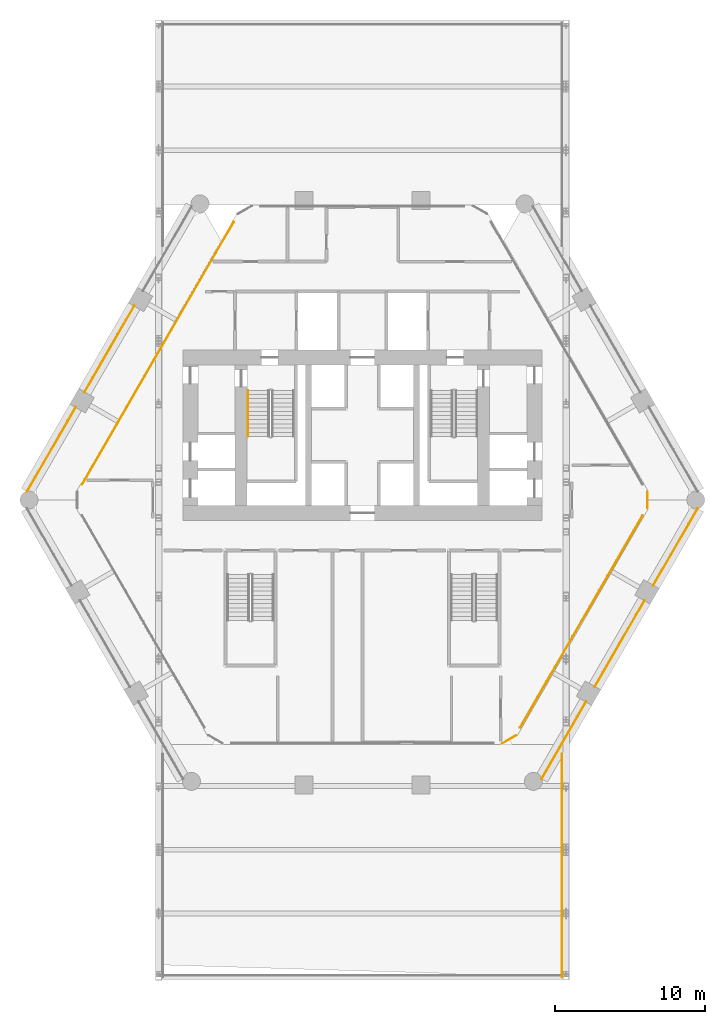
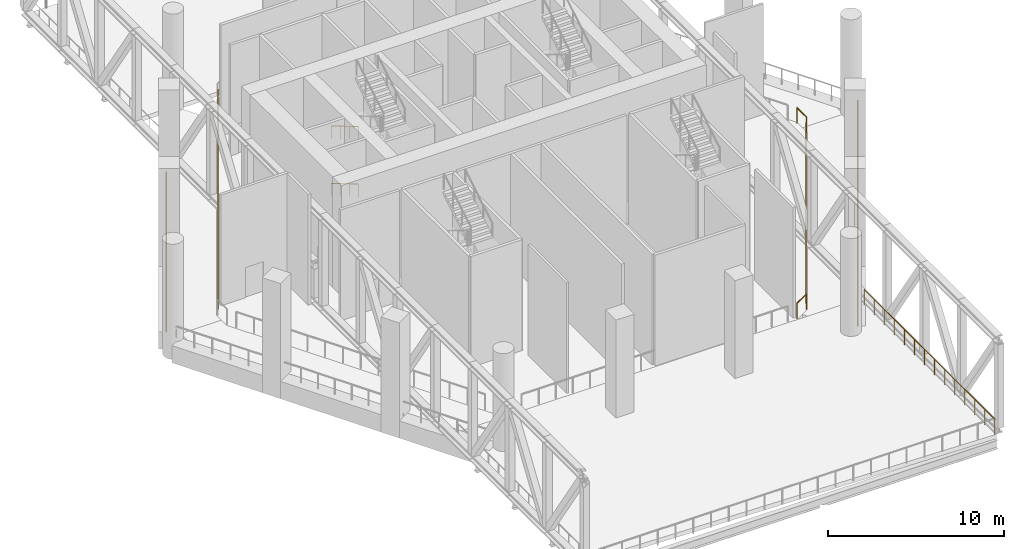
# One storey, part 14 of 16: 12 railings.
"""IFC4 building model written with IfcOpenShell, lengths in metres."""

from ifc_helpers import new_model, si_unit, direction, frame, origin, origin_2d, place, context, subcontext, project, spatial, circle, extrude, material, type_object, element, save


model = new_model("IFC4")

# Units and contexts
model_context = context("Model", 3, precision=1e-05, world=origin(), true_north=direction((0.0, 1.0)))
body_context = subcontext(model_context, "Body", "Model", "MODEL_VIEW")
ifc_project = project(units=[si_unit("LENGTHUNIT", "METRE"), si_unit("AREAUNIT", "SQUARE_METRE"), si_unit("VOLUMEUNIT", "CUBIC_METRE"), si_unit("PLANEANGLEUNIT", "RADIAN"), si_unit("MASSUNIT", "GRAM", prefix="KILO")], contexts=[model_context])

# Site, building, storey
site_placement = place(None, origin())
site = spatial("IfcSite", under=ifc_project, at=site_placement, CompositionType="ELEMENT")
building_placement = place(site_placement, origin())
building = spatial("IfcBuilding", under=site, at=building_placement, Name="Ostrander Bayou Hotel Tower", CompositionType="ELEMENT")
storey_placement = place(building_placement, frame((0.0, 0.0, 108.0)))
storey = spatial("IfcBuildingStorey", under=building, at=storey_placement, Name="L27", CompositionType="ELEMENT", Elevation=108.0)

# Railings
ifc_material_1 = material(Name="Stainless steel and clear glass", Category="steel")
railing_type_1 = type_object("IfcRailingType", Name="GR1 guard 1100 mm", PredefinedType="GUARDRAIL", material=ifc_material_1)
railing_1_placement = place(storey_placement, frame((-15.23876953125, 12.65087890625, 0.0)))
element("IfcRailing", 1, at=railing_1_placement, inside=storey, type_object=railing_type_1, Name="GR1 L27 NW-2 open band guard", PredefinedType="GUARDRAIL", context=body_context, shape_type="SweptSolid", body=[
    extrude(circle(Radius=0.02490234375, at=origin_2d()), frame((0.0, 0.0, 1.0751953125), z_axis=(-0.499999023957, -0.866025967302, 0.0), x_axis=(0.866025967302, -0.499999023957, 0.0)), (0.0, 0.0, 1.0), 6.67333984375),
    extrude(circle(Radius=0.02001953125, at=origin_2d()), origin(), (0.0, 0.0, 1.0), 1.050048828125),
    extrude(circle(Radius=0.02001953125, at=origin_2d()), frame((-0.55615234375, -0.963134765625, 0.0)), (0.0, 0.0, 1.0), 1.050048828125),
    extrude(circle(Radius=0.02001953125, at=origin_2d()), frame((-1.1123046875, -1.926513671875, 0.0)), (0.0, 0.0, 1.0), 1.050048828125),
    extrude(circle(Radius=0.02001953125, at=origin_2d()), frame((-1.66845703125, -2.8896484375, 0.0)), (0.0, 0.0, 1.0), 1.050048828125),
    extrude(circle(Radius=0.02001953125, at=origin_2d()), frame((-2.224365234375, -3.852783203125, 0.0)), (0.0, 0.0, 1.0), 1.050048828125),
    extrude(circle(Radius=0.02001953125, at=origin_2d()), frame((-2.780517578125, -4.816162109375, 0.0)), (0.0, 0.0, 1.0), 1.050048828125),
    extrude(circle(Radius=0.02001953125, at=origin_2d()), frame((-3.336669921875, -5.779296875, 0.0)), (0.0, 0.0, 1.0), 1.050048828125),
])
railing_2_placement = place(storey_placement, frame((-19.1455078125, 5.884521484375, 0.0)))
element("IfcRailing", 2, at=railing_2_placement, inside=storey, type_object=railing_type_1, Name="GR1 L27 NW-3 open band guard", PredefinedType="GUARDRAIL", context=body_context, shape_type="SweptSolid", body=[
    extrude(circle(Radius=0.02490234375, at=origin_2d()), frame((0.0, 0.0, 1.0751953125), z_axis=(-0.500000042739, -0.866025379109, 0.0), x_axis=(0.866025379109, -0.500000042739, 0.0)), (0.0, 0.0, 1.0), 6.52197265625),
    extrude(circle(Radius=0.02001953125, at=origin_2d()), origin(), (0.0, 0.0, 1.0), 1.050048828125),
    extrude(circle(Radius=0.02001953125, at=origin_2d()), frame((-0.54345703125, -0.94140625, 0.0)), (0.0, 0.0, 1.0), 1.050048828125),
    extrude(circle(Radius=0.02001953125, at=origin_2d()), frame((-1.0869140625, -1.8828125, 0.0)), (0.0, 0.0, 1.0), 1.050048828125),
    extrude(circle(Radius=0.02001953125, at=origin_2d()), frame((-1.63037109375, -2.82421875, 0.0)), (0.0, 0.0, 1.0), 1.050048828125),
    extrude(circle(Radius=0.02001953125, at=origin_2d()), frame((-2.174072265625, -3.765380859375, 0.0)), (0.0, 0.0, 1.0), 1.050048828125),
    extrude(circle(Radius=0.02001953125, at=origin_2d()), frame((-2.717529296875, -4.706787109375, 0.0)), (0.0, 0.0, 1.0), 1.050048828125),
    extrude(circle(Radius=0.02001953125, at=origin_2d()), frame((-3.260986328125, -5.648193359375, 0.0)), (0.0, 0.0, 1.0), 1.050048828125),
])
railing_3_placement = place(storey_placement, frame((11.974853515625, -18.958984375, 0.0)))
element("IfcRailing", 3, at=railing_3_placement, inside=storey, type_object=railing_type_1, Name="GR1 L27 SE-1 open band guard", PredefinedType="GUARDRAIL", context=body_context, shape_type="SweptSolid", body=[
    extrude(circle(Radius=0.02490234375, at=origin_2d()), frame((0.0, 0.0, 1.0751953125), z_axis=(0.499988630717, 0.866031967744, 0.0), x_axis=(-0.866031967744, 0.499988630717, 0.0)), (0.0, 0.0, 1.0), 5.954833984375),
    extrude(circle(Radius=0.02001953125, at=origin_2d()), origin(), (0.0, 0.0, 1.0), 1.050048828125),
    extrude(circle(Radius=0.02001953125, at=origin_2d()), frame((0.595458984375, 1.031494140625, 0.0)), (0.0, 0.0, 1.0), 1.050048828125),
    extrude(circle(Radius=0.02001953125, at=origin_2d()), frame((1.19091796875, 2.062744140625, 0.0)), (0.0, 0.0, 1.0), 1.050048828125),
    extrude(circle(Radius=0.02001953125, at=origin_2d()), frame((1.786376953125, 3.09423828125, 0.0)), (0.0, 0.0, 1.0), 1.050048828125),
    extrude(circle(Radius=0.02001953125, at=origin_2d()), frame((2.3818359375, 4.12548828125, 0.0)), (0.0, 0.0, 1.0), 1.050048828125),
    extrude(circle(Radius=0.02001953125, at=origin_2d()), frame((2.977294921875, 5.156982421875, 0.0)), (0.0, 0.0, 1.0), 1.050048828125),
])
railing_4_placement = place(storey_placement, frame((15.522216796875, -12.814697265625, 0.0)))
element("IfcRailing", 4, at=railing_4_placement, inside=storey, type_object=railing_type_1, Name="GR1 L27 SE-2 open band guard", PredefinedType="GUARDRAIL", context=body_context, shape_type="SweptSolid", body=[
    extrude(circle(Radius=0.02490234375, at=origin_2d()), frame((0.0, 0.0, 1.0751953125), z_axis=(0.499999023957, 0.866025967302, 0.0), x_axis=(-0.866025967302, 0.499999023957, 0.0)), (0.0, 0.0, 1.0), 6.67333984375),
    extrude(circle(Radius=0.02001953125, at=origin_2d()), origin(), (0.0, 0.0, 1.0), 1.050048828125),
    extrude(circle(Radius=0.02001953125, at=origin_2d()), frame((0.55615234375, 0.963134765625, 0.0)), (0.0, 0.0, 1.0), 1.050048828125),
    extrude(circle(Radius=0.02001953125, at=origin_2d()), frame((1.1123046875, 1.926513671875, 0.0)), (0.0, 0.0, 1.0), 1.050048828125),
    extrude(circle(Radius=0.02001953125, at=origin_2d()), frame((1.66845703125, 2.8896484375, 0.0)), (0.0, 0.0, 1.0), 1.050048828125),
    extrude(circle(Radius=0.02001953125, at=origin_2d()), frame((2.224365234375, 3.852783203125, 0.0)), (0.0, 0.0, 1.0), 1.050048828125),
    extrude(circle(Radius=0.02001953125, at=origin_2d()), frame((2.780517578125, 4.816162109375, 0.0)), (0.0, 0.0, 1.0), 1.050048828125),
    extrude(circle(Radius=0.02001953125, at=origin_2d()), frame((3.336669921875, 5.779296875, 0.0)), (0.0, 0.0, 1.0), 1.050048828125),
])
railing_5_placement = place(storey_placement, frame((19.428955078125, -6.048095703125, 0.0)))
element("IfcRailing", 5, at=railing_5_placement, inside=storey, type_object=railing_type_1, Name="GR1 L27 SE-3 open band guard", PredefinedType="GUARDRAIL", context=body_context, shape_type="SweptSolid", body=[
    extrude(circle(Radius=0.02490234375, at=origin_2d()), frame((0.0, 0.0, 1.0751953125), z_axis=(0.500001626982, 0.866024464444, 0.0), x_axis=(-0.866024464444, 0.500001626982, 0.0)), (0.0, 0.0, 1.0), 5.955078125),
    extrude(circle(Radius=0.02001953125, at=origin_2d()), origin(), (0.0, 0.0, 1.0), 1.050048828125),
    extrude(circle(Radius=0.02001953125, at=origin_2d()), frame((0.595458984375, 1.031494140625, 0.0)), (0.0, 0.0, 1.0), 1.050048828125),
    extrude(circle(Radius=0.02001953125, at=origin_2d()), frame((1.19091796875, 2.06298828125, 0.0)), (0.0, 0.0, 1.0), 1.050048828125),
    extrude(circle(Radius=0.02001953125, at=origin_2d()), frame((1.78662109375, 3.09423828125, 0.0)), (0.0, 0.0, 1.0), 1.050048828125),
    extrude(circle(Radius=0.02001953125, at=origin_2d()), frame((2.382080078125, 4.125732421875, 0.0)), (0.0, 0.0, 1.0), 1.050048828125),
    extrude(circle(Radius=0.02001953125, at=origin_2d()), frame((2.9775390625, 5.1572265625, 0.0)), (0.0, 0.0, 1.0), 1.050048828125),
])
railing_6_placement = place(storey_placement, frame((9.345703125, -16.59765625, 0.0)))
element("IfcRailing", 6, at=railing_6_placement, inside=storey, type_object=railing_type_1, Name="GR1 L27 corner guard 4", PredefinedType="GUARDRAIL", context=body_context, shape_type="SweptSolid", body=[
    extrude(circle(Radius=0.02490234375, at=origin_2d()), frame((0.0, 0.0, 1.0751953125), z_axis=(0.866048165231, 0.499960573946, 0.0), x_axis=(-0.499960573946, 0.866048165231, 0.0)), (0.0, 0.0, 1.0), 1.06494140625),
    extrude(circle(Radius=0.02001953125, at=origin_2d()), origin(), (0.0, 0.0, 1.0), 1.050048828125),
    extrude(circle(Radius=0.02001953125, at=origin_2d()), frame((0.92236328125, 0.532470703125, 0.0)), (0.0, 0.0, 1.0), 1.050048828125),
])
railing_7_placement = place(storey_placement, frame((19.046875, -0.85986328125, 0.0)))
element("IfcRailing", 7, at=railing_7_placement, inside=storey, type_object=railing_type_1, Name="GR1 L27 corner guard 5", PredefinedType="GUARDRAIL", context=body_context, shape_type="SweptSolid", body=[
    extrude(circle(Radius=0.02490234375, at=origin_2d()), frame((0.0, 0.0, 1.0751953125), z_axis=(0.0, 1.0, 0.0), x_axis=(-1.0, 0.0, 0.0)), (0.0, 0.0, 1.0), 1.06494140625),
    extrude(circle(Radius=0.02001953125, at=origin_2d()), origin(), (0.0, 0.0, 1.0), 1.050048828125),
    extrude(circle(Radius=0.02001953125, at=origin_2d()), frame((0.0, 1.06494140625, 0.0)), (0.0, 0.0, 1.0), 1.050048828125),
])
railing_8_placement = place(storey_placement, frame((18.725830078125, -1.365966796875, 0.0)))
element("IfcRailing", 8, at=railing_8_placement, inside=storey, type_object=railing_type_1, Name="GR1 L27 edge guard 3", PredefinedType="GUARDRAIL", context=body_context, shape_type="SweptSolid", body=[
    extrude(circle(Radius=0.02490234375, at=origin_2d()), frame((0.0, 0.0, 1.0751953125), z_axis=(-0.500002341209, -0.866024052083, 0.0), x_axis=(0.866024052083, -0.500002341209, 0.0)), (0.0, 0.0, 1.0), 16.35986328125),
    extrude(circle(Radius=0.02001953125, at=origin_2d()), origin(), (0.0, 0.0, 1.0), 1.050048828125),
    extrude(circle(Radius=0.02001953125, at=origin_2d()), frame((-0.584228515625, -1.011962890625, 0.0)), (0.0, 0.0, 1.0), 1.050048828125),
    extrude(circle(Radius=0.02001953125, at=origin_2d()), frame((-1.16845703125, -2.02392578125, 0.0)), (0.0, 0.0, 1.0), 1.050048828125),
    extrude(circle(Radius=0.02001953125, at=origin_2d()), frame((-1.7529296875, -3.035888671875, 0.0)), (0.0, 0.0, 1.0), 1.050048828125),
    extrude(circle(Radius=0.02001953125, at=origin_2d()), frame((-2.337158203125, -4.048095703125, 0.0)), (0.0, 0.0, 1.0), 1.050048828125),
    extrude(circle(Radius=0.02001953125, at=origin_2d()), frame((-2.92138671875, -5.06005859375, 0.0)), (0.0, 0.0, 1.0), 1.050048828125),
    extrude(circle(Radius=0.02001953125, at=origin_2d()), frame((-3.505615234375, -6.072021484375, 0.0)), (0.0, 0.0, 1.0), 1.050048828125),
    extrude(circle(Radius=0.02001953125, at=origin_2d()), frame((-4.08984375, -7.083984375, 0.0)), (0.0, 0.0, 1.0), 1.050048828125),
    extrude(circle(Radius=0.02001953125, at=origin_2d()), frame((-4.67431640625, -8.095947265625, 0.0)), (0.0, 0.0, 1.0), 1.050048828125),
    extrude(circle(Radius=0.02001953125, at=origin_2d()), frame((-5.258544921875, -9.10791015625, 0.0)), (0.0, 0.0, 1.0), 1.050048828125),
    extrude(circle(Radius=0.02001953125, at=origin_2d()), frame((-5.8427734375, -10.119873046875, 0.0)), (0.0, 0.0, 1.0), 1.050048828125),
    extrude(circle(Radius=0.02001953125, at=origin_2d()), frame((-6.427001953125, -11.132080078125, 0.0)), (0.0, 0.0, 1.0), 1.050048828125),
    extrude(circle(Radius=0.02001953125, at=origin_2d()), frame((-7.011474609375, -12.14404296875, 0.0)), (0.0, 0.0, 1.0), 1.050048828125),
    extrude(circle(Radius=0.02001953125, at=origin_2d()), frame((-7.595703125, -13.156005859375, 0.0)), (0.0, 0.0, 1.0), 1.050048828125),
    extrude(circle(Radius=0.02001953125, at=origin_2d()), frame((-8.179931640625, -14.16796875, 0.0)), (0.0, 0.0, 1.0), 1.050048828125),
])
railing_9_placement = place(storey_placement, frame((-18.725830078125, 0.71142578125, 0.0)))
element("IfcRailing", 9, at=railing_9_placement, inside=storey, type_object=railing_type_1, Name="GR1 L27 edge guard 6", PredefinedType="GUARDRAIL", context=body_context, shape_type="SweptSolid", body=[
    extrude(circle(Radius=0.02490234375, at=origin_2d()), frame((0.0, 0.0, 1.0751953125), z_axis=(0.500006806057, 0.86602147427, 0.0), x_axis=(-0.86602147427, 0.500006806057, 0.0)), (0.0, 0.0, 1.0), 20.264892578125),
    extrude(circle(Radius=0.02001953125, at=origin_2d()), origin(), (0.0, 0.0, 1.0), 1.050048828125),
    extrude(circle(Radius=0.02001953125, at=origin_2d()), frame((0.595947265625, 1.0322265625, 0.0)), (0.0, 0.0, 1.0), 1.050048828125),
    extrude(circle(Radius=0.02001953125, at=origin_2d()), frame((1.192138671875, 2.064697265625, 0.0)), (0.0, 0.0, 1.0), 1.050048828125),
    extrude(circle(Radius=0.02001953125, at=origin_2d()), frame((1.7880859375, 3.096923828125, 0.0)), (0.0, 0.0, 1.0), 1.050048828125),
    extrude(circle(Radius=0.02001953125, at=origin_2d()), frame((2.384033203125, 4.12939453125, 0.0)), (0.0, 0.0, 1.0), 1.050048828125),
    extrude(circle(Radius=0.02001953125, at=origin_2d()), frame((2.980224609375, 5.16162109375, 0.0)), (0.0, 0.0, 1.0), 1.050048828125),
    extrude(circle(Radius=0.02001953125, at=origin_2d()), frame((3.576171875, 6.194091796875, 0.0)), (0.0, 0.0, 1.0), 1.050048828125),
    extrude(circle(Radius=0.02001953125, at=origin_2d()), frame((4.172119140625, 7.226318359375, 0.0)), (0.0, 0.0, 1.0), 1.050048828125),
    extrude(circle(Radius=0.02001953125, at=origin_2d()), frame((4.768310546875, 8.2587890625, 0.0)), (0.0, 0.0, 1.0), 1.050048828125),
    extrude(circle(Radius=0.02001953125, at=origin_2d()), frame((5.3642578125, 9.291015625, 0.0)), (0.0, 0.0, 1.0), 1.050048828125),
    extrude(circle(Radius=0.02001953125, at=origin_2d()), frame((5.96044921875, 10.323486328125, 0.0)), (0.0, 0.0, 1.0), 1.050048828125),
    extrude(circle(Radius=0.02001953125, at=origin_2d()), frame((6.556396484375, 11.355712890625, 0.0)), (0.0, 0.0, 1.0), 1.050048828125),
    extrude(circle(Radius=0.02001953125, at=origin_2d()), frame((7.15234375, 12.38818359375, 0.0)), (0.0, 0.0, 1.0), 1.050048828125),
    extrude(circle(Radius=0.02001953125, at=origin_2d()), frame((7.74853515625, 13.42041015625, 0.0)), (0.0, 0.0, 1.0), 1.050048828125),
    extrude(circle(Radius=0.02001953125, at=origin_2d()), frame((8.344482421875, 14.452880859375, 0.0)), (0.0, 0.0, 1.0), 1.050048828125),
    extrude(circle(Radius=0.02001953125, at=origin_2d()), frame((8.9404296875, 15.485107421875, 0.0)), (0.0, 0.0, 1.0), 1.050048828125),
    extrude(circle(Radius=0.02001953125, at=origin_2d()), frame((9.53662109375, 16.517578125, 0.0)), (0.0, 0.0, 1.0), 1.050048828125),
    extrude(circle(Radius=0.02001953125, at=origin_2d()), frame((10.132568359375, 17.5498046875, 0.0)), (0.0, 0.0, 1.0), 1.050048828125),
])
railing_10_placement = place(storey_placement, frame((13.34228515625, -32.199951171875, 0.0)))
element("IfcRailing", 10, at=railing_10_placement, inside=storey, type_object=railing_type_1, Name="GR1 bar roof guard SB2 1", PredefinedType="GUARDRAIL", context=body_context, shape_type="SweptSolid", body=[
    extrude(circle(Radius=0.02490234375, at=origin_2d()), frame((0.0, 0.0, 1.0751953125), z_axis=(0.0, 1.0, 0.0), x_axis=(-1.0, 0.0, 0.0)), (0.0, 0.0, 1.0), 14.882568359375),
    extrude(circle(Radius=0.02001953125, at=origin_2d()), origin(), (0.0, 0.0, 1.0), 1.050048828125),
    extrude(circle(Radius=0.02001953125, at=origin_2d()), frame((0.0, 1.144775390625, 0.0)), (0.0, 0.0, 1.0), 1.050048828125),
    extrude(circle(Radius=0.02001953125, at=origin_2d()), frame((0.0, 2.28955078125, 0.0)), (0.0, 0.0, 1.0), 1.050048828125),
    extrude(circle(Radius=0.02001953125, at=origin_2d()), frame((0.0, 3.434326171875, 0.0)), (0.0, 0.0, 1.0), 1.050048828125),
    extrude(circle(Radius=0.02001953125, at=origin_2d()), frame((0.0, 4.579345703125, 0.0)), (0.0, 0.0, 1.0), 1.050048828125),
    extrude(circle(Radius=0.02001953125, at=origin_2d()), frame((0.0, 5.72412109375, 0.0)), (0.0, 0.0, 1.0), 1.050048828125),
    extrude(circle(Radius=0.02001953125, at=origin_2d()), frame((0.0, 6.868896484375, 0.0)), (0.0, 0.0, 1.0), 1.050048828125),
    extrude(circle(Radius=0.02001953125, at=origin_2d()), frame((0.0, 8.013671875, 0.0)), (0.0, 0.0, 1.0), 1.050048828125),
    extrude(circle(Radius=0.02001953125, at=origin_2d()), frame((0.0, 9.158447265625, 0.0)), (0.0, 0.0, 1.0), 1.050048828125),
    extrude(circle(Radius=0.02001953125, at=origin_2d()), frame((0.0, 10.30322265625, 0.0)), (0.0, 0.0, 1.0), 1.050048828125),
    extrude(circle(Radius=0.02001953125, at=origin_2d()), frame((0.0, 11.4482421875, 0.0)), (0.0, 0.0, 1.0), 1.050048828125),
    extrude(circle(Radius=0.02001953125, at=origin_2d()), frame((0.0, 12.593017578125, 0.0)), (0.0, 0.0, 1.0), 1.050048828125),
    extrude(circle(Radius=0.02001953125, at=origin_2d()), frame((0.0, 13.73779296875, 0.0)), (0.0, 0.0, 1.0), 1.050048828125),
    extrude(circle(Radius=0.02001953125, at=origin_2d()), frame((0.0, 14.882568359375, 0.0)), (0.0, 0.0, 1.0), 1.050048828125),
])
ifc_material_2 = material(Name="Steel ASTM A500 Gr C", Category="steel")
railing_type_2 = type_object("IfcRailingType", Name="HR1 stair handrail 900 mm steel", PredefinedType="HANDRAIL", material=ifc_material_2)
for number, where, name in (
    (11, (-7.64990234375, 7.0, 0.166748046875), "L27 STA stair handrail 1"),
    (12, (-7.64990234375, 7.0, 4.166748046875), "L27 STA stair handrail 3"),
):
    element("IfcRailing", number, at=place(storey_placement, frame(where)), inside=storey, type_object=railing_type_2, Name=name, PredefinedType="HANDRAIL", context=body_context, shape_type="SweptSolid", body=[
        extrude(circle(Radius=0.02392578125, at=origin_2d()), frame((0.0, 0.0, 0.8759765625), z_axis=(0.0, -0.859308565015, 0.511457515432), x_axis=(1.0, 0.0, 0.0)), (0.0, 0.0, 1.0), 3.58447265625),
        extrude(circle(Radius=0.02099609375, at=origin_2d()), origin(), (0.0, 0.0, 1.0), 0.851806640625),
        extrude(circle(Radius=0.02099609375, at=origin_2d()), frame((0.0, -1.026611328125, 0.611083984375)), (0.0, 0.0, 1.0), 0.851806640625),
        extrude(circle(Radius=0.02099609375, at=origin_2d()), frame((0.0, -2.053466796875, 1.22216796875)), (0.0, 0.0, 1.0), 0.851806640625),
        extrude(circle(Radius=0.02099609375, at=origin_2d()), frame((0.0, -3.080078125, 1.833251953125)), (0.0, 0.0, 1.0), 0.851806640625),
    ])

save(model, "model.ifc")
